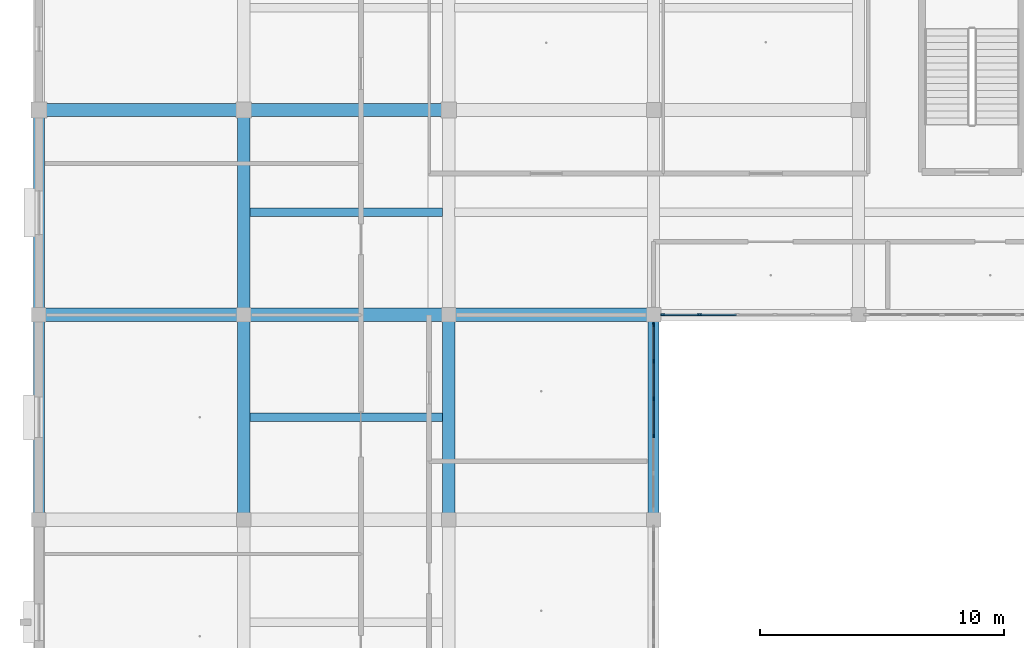
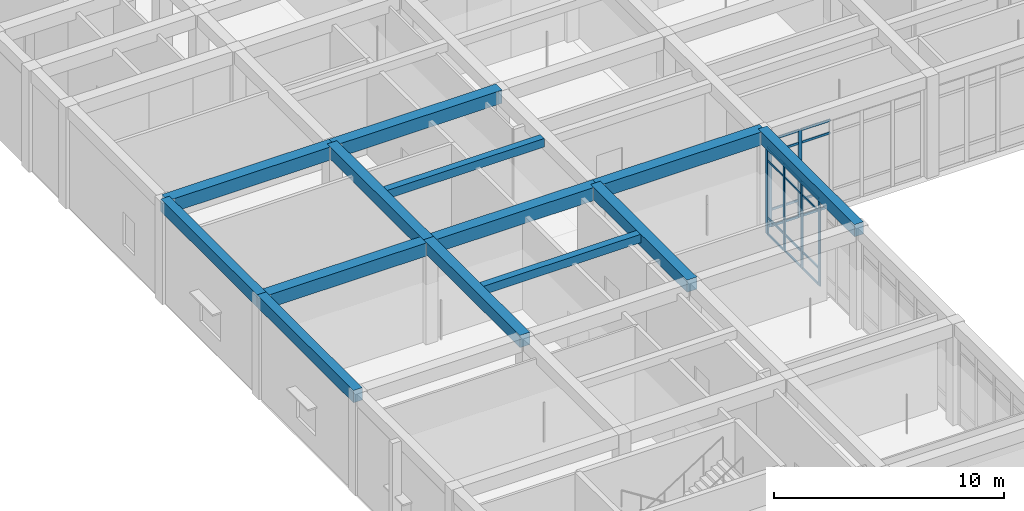
# One storey, part 31 of 157: 26 members, 13 beams, 2 elements without a shape of their own.
"""IFC4 building model written with IfcOpenShell, lengths in metres."""

from ifc_helpers import new_model, si_unit, direction, frame, origin, origin_2d, place, context, subcontext, project, spatial, rectangle, extrude, material, material_profile, profile_set, type_object, element, aggregate, save


model = new_model("IFC4")

# Units and contexts
model_context = context("Model", 3, precision=1e-05, world=origin(), true_north=direction((0.0, 1.0)))
body_context = subcontext(model_context, "Body", "Model", "MODEL_VIEW")
ifc_project = project(units=[si_unit("LENGTHUNIT", "METRE"), si_unit("AREAUNIT", "SQUARE_METRE"), si_unit("VOLUMEUNIT", "CUBIC_METRE"), si_unit("PLANEANGLEUNIT", "RADIAN"), si_unit("MASSUNIT", "GRAM", prefix="KILO")], contexts=[model_context])

# Site, building, storey
site_placement = place(None, origin())
site = spatial("IfcSite", under=ifc_project, at=site_placement, CompositionType="ELEMENT")
building_placement = place(site_placement, origin())
building = spatial("IfcBuilding", under=site, at=building_placement, Name="Varncliffe General Hospital", CompositionType="ELEMENT")
storey_placement = place(building_placement, frame((0.0, 0.0, 5.39990234375)))
storey = spatial("IfcBuildingStorey", under=building, at=storey_placement, Name="L01", CompositionType="ELEMENT", Elevation=5.39990234375)

# Beams
ifc_material_1 = material(Name="Concrete C35/45 (CSA A23.1 35 MPa)", Category="concrete")
ifc_material_profile_1 = material_profile(ifc_material_1, rectangle(XDim=0.5, YDim=0.64990234375, at=origin_2d()), Name="RC 500x650")
ifc_profile_set_1 = profile_set([ifc_material_profile_1], Name="Concrete C35/45 (CSA A23.1 35 MPa)")
beam_type_1 = type_object("IfcBeamType", Name="Beam B29 (Int RC 500x650)", PredefinedType="BEAM", material=ifc_profile_set_1)
beam_1_placement = place(storey_placement, frame((8.39990234375, 74.39990234375, 5.0751953125), z_axis=(0.0, 1.0, 0.0), x_axis=(-1.0, 0.0, 0.0)))
element("IfcBeam", 1, at=beam_1_placement, inside=storey, type_object=beam_type_1, Name="L01 Primary Beam B29-284", PredefinedType="BEAM", context=body_context, shape_type="SweptSolid", body=[
    extrude(rectangle(XDim=0.5, YDim=0.64990234375, at=origin_2d()), origin(), (0.0, 0.0, 1.0), 8.400146484375),
])
beam_2_placement = place(storey_placement, frame((8.39990234375, 82.800048828125, 5.0751953125), z_axis=(0.0, 1.0, 0.0), x_axis=(-1.0, 0.0, 0.0)))
element("IfcBeam", 2, at=beam_2_placement, inside=storey, type_object=beam_type_1, Name="L01 Primary Beam B29-285", PredefinedType="BEAM", context=body_context, shape_type="SweptSolid", body=[
    extrude(rectangle(XDim=0.5, YDim=0.64990234375, at=origin_2d()), origin(), (0.0, 0.0, 1.0), 8.39990234375),
])
beam_3_placement = place(storey_placement, frame((16.800048828125, 74.39990234375, 5.0751953125), z_axis=(0.0, 1.0, 0.0), x_axis=(-1.0, 0.0, 0.0)))
element("IfcBeam", 3, at=beam_3_placement, inside=storey, type_object=beam_type_1, Name="L01 Primary Beam B29-301", PredefinedType="BEAM", context=body_context, shape_type="SweptSolid", body=[
    extrude(rectangle(XDim=0.5, YDim=0.64990234375, at=origin_2d()), origin(), (0.0, 0.0, 1.0), 8.400146484375),
])
ifc_material_profile_2 = material_profile(ifc_material_1, rectangle(XDim=0.550048828125, YDim=0.699951171875, at=origin_2d()), Name="RC 550x700")
ifc_profile_set_2 = profile_set([ifc_material_profile_2], Name="Concrete C35/45 (CSA A23.1 35 MPa)")
beam_type_2 = type_object("IfcBeamType", Name="Beam B35 (Int RC 550x700)", PredefinedType="BEAM", material=ifc_profile_set_2)
beam_4_placement = place(storey_placement, frame((0.0, 82.800048828125, 5.050048828125), z_axis=(1.0, 0.0, 0.0), x_axis=(0.0, 1.0, 0.0)))
element("IfcBeam", 4, at=beam_4_placement, inside=storey, type_object=beam_type_2, Name="L01 Primary Beam B35-112", PredefinedType="BEAM", context=body_context, shape_type="SweptSolid", body=[
    extrude(rectangle(XDim=0.550048828125, YDim=0.699951171875, at=origin_2d()), origin(), (0.0, 0.0, 1.0), 8.39990234375),
])
beam_5_placement = place(storey_placement, frame((8.39990234375, 82.800048828125, 5.050048828125), z_axis=(1.0, 0.0, 0.0), x_axis=(0.0, 1.0, 0.0)))
element("IfcBeam", 5, at=beam_5_placement, inside=storey, type_object=beam_type_2, Name="L01 Primary Beam B35-113", PredefinedType="BEAM", context=body_context, shape_type="SweptSolid", body=[
    extrude(rectangle(XDim=0.550048828125, YDim=0.699951171875, at=origin_2d()), origin(), (0.0, 0.0, 1.0), 8.400146484375),
])
for number, where, z_axis, x_axis, name in (
    (6, (16.800048828125, 82.800048828125, 5.050048828125), (1.0, 0.0, 0.0), (0.0, 1.0, 0.0), "L01 Primary Beam B35-114"),
    (7, (0.0, 91.199951171875, 5.050048828125), (1.0, 0.0, 0.0), (0.0, 1.0, 0.0), "L01 Primary Beam B35-133"),
):
    element("IfcBeam", number, at=place(storey_placement, frame(where, z_axis=z_axis, x_axis=x_axis)), inside=storey, type_object=beam_type_2, Name=name, PredefinedType="BEAM", context=body_context, shape_type="SweptSolid", body=[
        extrude(rectangle(XDim=0.550048828125, YDim=0.699951171875, at=origin_2d()), origin(), (0.0, 0.0, 1.0), 8.39990234375),
    ])
beam_6_placement = place(storey_placement, frame((8.39990234375, 91.199951171875, 5.050048828125), z_axis=(1.0, 0.0, 0.0), x_axis=(0.0, 1.0, 0.0)))
element("IfcBeam", 8, at=beam_6_placement, inside=storey, type_object=beam_type_2, Name="L01 Primary Beam B35-134", PredefinedType="BEAM", context=body_context, shape_type="SweptSolid", body=[
    extrude(rectangle(XDim=0.550048828125, YDim=0.699951171875, at=origin_2d()), origin(), (0.0, 0.0, 1.0), 8.400146484375),
])

# Curtain wall, members
ifc_material_2 = material(Name="Triple low-E argon insulated vision glazing", Category="glass")
curtain_wall_type_1 = type_object("IfcCurtainWallType", Name="Unitised Glazed Curtain Wall CW70 (7724x4640)", PredefinedType="USERDEFINED", material=ifc_material_2)
curtain_wall_1_placement = place(storey_placement, origin())
curtain_wall_1 = element("IfcCurtainWall", 9, at=curtain_wall_1_placement, inside=storey, type_object=curtain_wall_type_1, Name="L01 Glazed Curtain Wall CW70-76", ObjectType="GLAZED CURTAIN WALL", PredefinedType="USERDEFINED")
ifc_material_3 = material(Name="Dark bronze thermally broken aluminium framing", Category="aluminium")
ifc_material_profile_3 = material_profile(ifc_material_3, rectangle(XDim=0.074951171875, YDim=0.179931640625, at=origin_2d()), Name="ALU 75x180")
ifc_profile_set_3 = profile_set([ifc_material_profile_3], Name="Dark bronze thermally broken aluminium framing")
member_type_1 = type_object("IfcMemberType", Name="Curtain Wall Mullion CM44 (ALU 75x180)", PredefinedType="MULLION", material=ifc_profile_set_3)
member_1_placement = place(storey_placement, frame((27.082763671875, 82.800048828125, 0.0), z_axis=(0.0, 0.0, 1.0), x_axis=(0.0, -1.0, 0.0)))
member_1 = element("IfcMember", 10, at=member_1_placement, type_object=member_type_1, Name="CW70 mullion 5", PredefinedType="MULLION", context=body_context, shape_type="SweptSolid", body=[
    extrude(rectangle(XDim=0.074951171875, YDim=0.179931640625, at=origin_2d()), origin(), (0.0, 0.0, 1.0), 4.64013671875),
])
member_2_placement = place(storey_placement, frame((25.575439453125, 82.800048828125, 0.0), z_axis=(0.0, 0.0, 1.0), x_axis=(0.0, -1.0, 0.0)))
member_2 = element("IfcMember", 11, at=member_2_placement, type_object=member_type_1, Name="CW70 mullion 6", PredefinedType="MULLION", context=body_context, shape_type="SweptSolid", body=[
    extrude(rectangle(XDim=0.074951171875, YDim=0.179931640625, at=origin_2d()), origin(), (0.0, 0.0, 1.0), 4.64013671875),
])

curtain_wall_type_2 = type_object("IfcCurtainWallType", Name="Unitised Glazed Curtain Wall CW27 (7644x4640)", PredefinedType="USERDEFINED", material=ifc_material_2)
curtain_wall_2_placement = place(storey_placement, origin())
curtain_wall_2 = element("IfcCurtainWall", 12, at=curtain_wall_2_placement, inside=storey, type_object=curtain_wall_type_2, Name="L01 Glazed Curtain Wall CW27-77", ObjectType="GLAZED CURTAIN WALL", PredefinedType="USERDEFINED")
ifc_material_profile_4 = material_profile(ifc_material_3, rectangle(XDim=0.06494140625, YDim=0.159912109375, at=origin_2d()), Name="ALU 65x160")
ifc_profile_set_4 = profile_set([ifc_material_profile_4], Name="Dark bronze thermally broken aluminium framing")
member_type_2 = type_object("IfcMemberType", Name="Curtain Wall Mullion CM65 (ALU 65x160)", PredefinedType="MULLION", material=ifc_profile_set_4)
member_3_placement = place(storey_placement, frame((25.199951171875, 82.389404296875, 0.0), z_axis=(0.0, 0.0, 1.0), x_axis=(1.0, 0.0, 0.0)))
member_3 = element("IfcMember", 13, at=member_3_placement, type_object=member_type_2, Name="CW27 mullion 1", PredefinedType="MULLION", context=body_context, shape_type="SweptSolid", body=[
    extrude(rectangle(XDim=0.06494140625, YDim=0.159912109375, at=origin_2d()), origin(), (0.0, 0.0, 1.0), 4.64013671875),
])
member_4_placement = place(storey_placement, frame((25.199951171875, 80.893310546875, 0.0), z_axis=(0.0, 0.0, 1.0), x_axis=(1.0, 0.0, 0.0)))
member_4 = element("IfcMember", 14, at=member_4_placement, type_object=member_type_2, Name="CW27 mullion 2", PredefinedType="MULLION", context=body_context, shape_type="SweptSolid", body=[
    extrude(rectangle(XDim=0.06494140625, YDim=0.159912109375, at=origin_2d()), origin(), (0.0, 0.0, 1.0), 4.64013671875),
])
member_5_placement = place(storey_placement, frame((25.199951171875, 79.364501953125, 0.0), z_axis=(0.0, 0.0, 1.0), x_axis=(1.0, 0.0, 0.0)))
member_5 = element("IfcMember", 15, at=member_5_placement, type_object=member_type_2, Name="CW27 mullion 3", PredefinedType="MULLION", context=body_context, shape_type="SweptSolid", body=[
    extrude(rectangle(XDim=0.06494140625, YDim=0.159912109375, at=origin_2d()), origin(), (0.0, 0.0, 1.0), 4.64013671875),
])
member_6_placement = place(storey_placement, frame((25.199951171875, 77.835693359375, 0.0), z_axis=(0.0, 0.0, 1.0), x_axis=(1.0, 0.0, 0.0)))
member_6 = element("IfcMember", 16, at=member_6_placement, type_object=member_type_2, Name="CW27 mullion 4", PredefinedType="MULLION", context=body_context, shape_type="SweptSolid", body=[
    extrude(rectangle(XDim=0.06494140625, YDim=0.159912109375, at=origin_2d()), origin(), (0.0, 0.0, 1.0), 4.64013671875),
])

# Member
ifc_material_profile_5 = material_profile(ifc_material_3, rectangle(XDim=0.06005859375, YDim=0.1201171875, at=origin_2d()), Name="ALU 60x120")
ifc_profile_set_5 = profile_set([ifc_material_profile_5], Name="Dark bronze thermally broken aluminium framing")
member_type_3 = type_object("IfcMemberType", Name="Curtain Wall Transom CT14 (ALU 60x120)", PredefinedType="USERDEFINED", material=ifc_profile_set_5)
member_7_placement = place(storey_placement, frame((28.590087890625, 82.800048828125, 0.030029296875), z_axis=(-1.0, 0.0, 0.0), x_axis=(0.0, -1.0, 0.0)))
member_7 = element("IfcMember", 17, at=member_7_placement, type_object=member_type_3, Name="CW70 transom 4.1", ObjectType="TRANSOM", PredefinedType="USERDEFINED", context=body_context, shape_type="SweptSolid", body=[
    extrude(rectangle(XDim=0.06005859375, YDim=0.1201171875, at=origin_2d()), origin(), (0.0, 0.0, 1.0), 1.4697265625),
])

member_8_placement = place(storey_placement, frame((28.590087890625, 82.800048828125, 0.900146484375), z_axis=(-1.0, 0.0, 0.0), x_axis=(0.0, -1.0, 0.0)))
member_8 = element("IfcMember", 18, at=member_8_placement, type_object=member_type_3, Name="CW70 transom 4.2", ObjectType="TRANSOM", PredefinedType="USERDEFINED", context=body_context, shape_type="SweptSolid", body=[
    extrude(rectangle(XDim=0.06005859375, YDim=0.1201171875, at=origin_2d()), origin(), (0.0, 0.0, 1.0), 1.4697265625),
])

member_9_placement = place(storey_placement, frame((28.590087890625, 82.800048828125, 3.940185546875), z_axis=(-1.0, 0.0, 0.0), x_axis=(0.0, -1.0, 0.0)))
member_9 = element("IfcMember", 19, at=member_9_placement, type_object=member_type_3, Name="CW70 transom 4.3", ObjectType="TRANSOM", PredefinedType="USERDEFINED", context=body_context, shape_type="SweptSolid", body=[
    extrude(rectangle(XDim=0.06005859375, YDim=0.1201171875, at=origin_2d()), origin(), (0.0, 0.0, 1.0), 1.4697265625),
])

member_10_placement = place(storey_placement, frame((28.590087890625, 82.800048828125, 4.610107421875), z_axis=(-1.0, 0.0, 0.0), x_axis=(0.0, -1.0, 0.0)))
member_10 = element("IfcMember", 20, at=member_10_placement, type_object=member_type_3, Name="CW70 transom 4.4", ObjectType="TRANSOM", PredefinedType="USERDEFINED", context=body_context, shape_type="SweptSolid", body=[
    extrude(rectangle(XDim=0.06005859375, YDim=0.1201171875, at=origin_2d()), origin(), (0.0, 0.0, 1.0), 1.4697265625),
])

member_11_placement = place(storey_placement, frame((27.04541015625, 82.800048828125, 0.030029296875), z_axis=(-1.0, 0.0, 0.0), x_axis=(0.0, -1.0, 0.0)))
member_11 = element("IfcMember", 21, at=member_11_placement, type_object=member_type_3, Name="CW70 transom 5.1", ObjectType="TRANSOM", PredefinedType="USERDEFINED", context=body_context, shape_type="SweptSolid", body=[
    extrude(rectangle(XDim=0.06005859375, YDim=0.1201171875, at=origin_2d()), origin(), (0.0, 0.0, 1.0), 1.432373046875),
])

member_12_placement = place(storey_placement, frame((27.04541015625, 82.800048828125, 0.900146484375), z_axis=(-1.0, 0.0, 0.0), x_axis=(0.0, -1.0, 0.0)))
member_12 = element("IfcMember", 22, at=member_12_placement, type_object=member_type_3, Name="CW70 transom 5.2", ObjectType="TRANSOM", PredefinedType="USERDEFINED", context=body_context, shape_type="SweptSolid", body=[
    extrude(rectangle(XDim=0.06005859375, YDim=0.1201171875, at=origin_2d()), origin(), (0.0, 0.0, 1.0), 1.432373046875),
])

member_13_placement = place(storey_placement, frame((27.04541015625, 82.800048828125, 3.940185546875), z_axis=(-1.0, 0.0, 0.0), x_axis=(0.0, -1.0, 0.0)))
member_13 = element("IfcMember", 23, at=member_13_placement, type_object=member_type_3, Name="CW70 transom 5.3", ObjectType="TRANSOM", PredefinedType="USERDEFINED", context=body_context, shape_type="SweptSolid", body=[
    extrude(rectangle(XDim=0.06005859375, YDim=0.1201171875, at=origin_2d()), origin(), (0.0, 0.0, 1.0), 1.432373046875),
])

member_14_placement = place(storey_placement, frame((27.04541015625, 82.800048828125, 4.610107421875), z_axis=(-1.0, 0.0, 0.0), x_axis=(0.0, -1.0, 0.0)))
member_14 = element("IfcMember", 24, at=member_14_placement, type_object=member_type_3, Name="CW70 transom 5.4", ObjectType="TRANSOM", PredefinedType="USERDEFINED", context=body_context, shape_type="SweptSolid", body=[
    extrude(rectangle(XDim=0.06005859375, YDim=0.1201171875, at=origin_2d()), origin(), (0.0, 0.0, 1.0), 1.432373046875),
])

aggregate(curtain_wall_1, [member_1, member_2, member_7, member_8, member_9, member_10, member_11, member_12, member_13, member_14])

ifc_material_profile_6 = material_profile(ifc_material_3, rectangle(XDim=0.06005859375, YDim=0.10009765625, at=origin_2d()), Name="ALU 60x100")
ifc_profile_set_6 = profile_set([ifc_material_profile_6], Name="Dark bronze thermally broken aluminium framing")
member_type_4 = type_object("IfcMemberType", Name="Curtain Wall Transom CT18 (ALU 60x100)", PredefinedType="USERDEFINED", material=ifc_profile_set_6)
member_15_placement = place(storey_placement, frame((25.199951171875, 82.35693359375, 0.030029296875), z_axis=(0.0, -1.0, 0.0), x_axis=(1.0, 0.0, 0.0)))
member_15 = element("IfcMember", 25, at=member_15_placement, type_object=member_type_4, Name="CW27 transom 1.1", ObjectType="TRANSOM", PredefinedType="USERDEFINED", context=body_context, shape_type="SweptSolid", body=[
    extrude(rectangle(XDim=0.06005859375, YDim=0.10009765625, at=origin_2d()), origin(), (0.0, 0.0, 1.0), 1.43115234375),
])

member_16_placement = place(storey_placement, frame((25.199951171875, 82.35693359375, 0.900146484375), z_axis=(0.0, -1.0, 0.0), x_axis=(1.0, 0.0, 0.0)))
member_16 = element("IfcMember", 26, at=member_16_placement, type_object=member_type_4, Name="CW27 transom 1.2", ObjectType="TRANSOM", PredefinedType="USERDEFINED", context=body_context, shape_type="SweptSolid", body=[
    extrude(rectangle(XDim=0.06005859375, YDim=0.10009765625, at=origin_2d()), origin(), (0.0, 0.0, 1.0), 1.43115234375),
])

member_17_placement = place(storey_placement, frame((25.199951171875, 82.35693359375, 3.940185546875), z_axis=(0.0, -1.0, 0.0), x_axis=(1.0, 0.0, 0.0)))
member_17 = element("IfcMember", 27, at=member_17_placement, type_object=member_type_4, Name="CW27 transom 1.3", ObjectType="TRANSOM", PredefinedType="USERDEFINED", context=body_context, shape_type="SweptSolid", body=[
    extrude(rectangle(XDim=0.06005859375, YDim=0.10009765625, at=origin_2d()), origin(), (0.0, 0.0, 1.0), 1.43115234375),
])

member_18_placement = place(storey_placement, frame((25.199951171875, 82.35693359375, 4.610107421875), z_axis=(0.0, -1.0, 0.0), x_axis=(1.0, 0.0, 0.0)))
member_18 = element("IfcMember", 28, at=member_18_placement, type_object=member_type_4, Name="CW27 transom 1.4", ObjectType="TRANSOM", PredefinedType="USERDEFINED", context=body_context, shape_type="SweptSolid", body=[
    extrude(rectangle(XDim=0.06005859375, YDim=0.10009765625, at=origin_2d()), origin(), (0.0, 0.0, 1.0), 1.43115234375),
])

member_19_placement = place(storey_placement, frame((25.199951171875, 80.860595703125, 0.030029296875), z_axis=(0.0, -1.0, 0.0), x_axis=(1.0, 0.0, 0.0)))
member_19 = element("IfcMember", 29, at=member_19_placement, type_object=member_type_4, Name="CW27 transom 2.1", ObjectType="TRANSOM", PredefinedType="USERDEFINED", context=body_context, shape_type="SweptSolid", body=[
    extrude(rectangle(XDim=0.06005859375, YDim=0.10009765625, at=origin_2d()), origin(), (0.0, 0.0, 1.0), 1.463623046875),
])

member_20_placement = place(storey_placement, frame((25.199951171875, 80.860595703125, 0.900146484375), z_axis=(0.0, -1.0, 0.0), x_axis=(1.0, 0.0, 0.0)))
member_20 = element("IfcMember", 30, at=member_20_placement, type_object=member_type_4, Name="CW27 transom 2.2", ObjectType="TRANSOM", PredefinedType="USERDEFINED", context=body_context, shape_type="SweptSolid", body=[
    extrude(rectangle(XDim=0.06005859375, YDim=0.10009765625, at=origin_2d()), origin(), (0.0, 0.0, 1.0), 1.463623046875),
])

member_21_placement = place(storey_placement, frame((25.199951171875, 80.860595703125, 3.940185546875), z_axis=(0.0, -1.0, 0.0), x_axis=(1.0, 0.0, 0.0)))
member_21 = element("IfcMember", 31, at=member_21_placement, type_object=member_type_4, Name="CW27 transom 2.3", ObjectType="TRANSOM", PredefinedType="USERDEFINED", context=body_context, shape_type="SweptSolid", body=[
    extrude(rectangle(XDim=0.06005859375, YDim=0.10009765625, at=origin_2d()), origin(), (0.0, 0.0, 1.0), 1.463623046875),
])

member_22_placement = place(storey_placement, frame((25.199951171875, 80.860595703125, 4.610107421875), z_axis=(0.0, -1.0, 0.0), x_axis=(1.0, 0.0, 0.0)))
member_22 = element("IfcMember", 32, at=member_22_placement, type_object=member_type_4, Name="CW27 transom 2.4", ObjectType="TRANSOM", PredefinedType="USERDEFINED", context=body_context, shape_type="SweptSolid", body=[
    extrude(rectangle(XDim=0.06005859375, YDim=0.10009765625, at=origin_2d()), origin(), (0.0, 0.0, 1.0), 1.463623046875),
])

member_23_placement = place(storey_placement, frame((25.199951171875, 79.331787109375, 0.030029296875), z_axis=(0.0, -1.0, 0.0), x_axis=(1.0, 0.0, 0.0)))
member_23 = element("IfcMember", 33, at=member_23_placement, type_object=member_type_4, Name="CW27 transom 3.1", ObjectType="TRANSOM", PredefinedType="USERDEFINED", context=body_context, shape_type="SweptSolid", body=[
    extrude(rectangle(XDim=0.06005859375, YDim=0.10009765625, at=origin_2d()), origin(), (0.0, 0.0, 1.0), 1.463623046875),
])

member_24_placement = place(storey_placement, frame((25.199951171875, 79.331787109375, 0.900146484375), z_axis=(0.0, -1.0, 0.0), x_axis=(1.0, 0.0, 0.0)))
member_24 = element("IfcMember", 34, at=member_24_placement, type_object=member_type_4, Name="CW27 transom 3.2", ObjectType="TRANSOM", PredefinedType="USERDEFINED", context=body_context, shape_type="SweptSolid", body=[
    extrude(rectangle(XDim=0.06005859375, YDim=0.10009765625, at=origin_2d()), origin(), (0.0, 0.0, 1.0), 1.463623046875),
])

member_25_placement = place(storey_placement, frame((25.199951171875, 79.331787109375, 3.940185546875), z_axis=(0.0, -1.0, 0.0), x_axis=(1.0, 0.0, 0.0)))
member_25 = element("IfcMember", 35, at=member_25_placement, type_object=member_type_4, Name="CW27 transom 3.3", ObjectType="TRANSOM", PredefinedType="USERDEFINED", context=body_context, shape_type="SweptSolid", body=[
    extrude(rectangle(XDim=0.06005859375, YDim=0.10009765625, at=origin_2d()), origin(), (0.0, 0.0, 1.0), 1.463623046875),
])

member_26_placement = place(storey_placement, frame((25.199951171875, 79.331787109375, 4.610107421875), z_axis=(0.0, -1.0, 0.0), x_axis=(1.0, 0.0, 0.0)))
member_26 = element("IfcMember", 36, at=member_26_placement, type_object=member_type_4, Name="CW27 transom 3.4", ObjectType="TRANSOM", PredefinedType="USERDEFINED", context=body_context, shape_type="SweptSolid", body=[
    extrude(rectangle(XDim=0.06005859375, YDim=0.10009765625, at=origin_2d()), origin(), (0.0, 0.0, 1.0), 1.463623046875),
])

aggregate(curtain_wall_2, [member_3, member_4, member_5, member_6, member_15, member_16, member_17, member_18, member_19, member_20, member_21, member_22, member_23, member_24, member_25, member_26])

# Beams
ifc_material_profile_7 = material_profile(ifc_material_1, rectangle(XDim=0.35009765625, YDim=0.449951171875, at=origin_2d()), Name="RC 350x450")
ifc_profile_set_7 = profile_set([ifc_material_profile_7], Name="Concrete C35/45 (CSA A23.1 35 MPa)")
beam_type_3 = type_object("IfcBeamType", Name="Joist J55 (Int RC 350x450)", PredefinedType="JOIST", material=ifc_profile_set_7)
for number, where, z_axis, x_axis, name in (
    (37, (8.64794921875, 78.60009765625, 5.175048828125), (1.0, 0.0, 0.0), (0.0, 1.0, 0.0), "L01 Secondary Floor Rib J55-8"),
    (38, (8.64794921875, 87.0, 5.175048828125), (1.0, 0.0, 0.0), (0.0, 1.0, 0.0), "L01 Secondary Floor Rib J55-9"),
):
    element("IfcBeam", number, at=place(storey_placement, frame(where, z_axis=z_axis, x_axis=x_axis)), inside=storey, type_object=beam_type_3, Name=name, PredefinedType="JOIST", context=body_context, shape_type="SweptSolid", body=[
        extrude(rectangle(XDim=0.35009765625, YDim=0.449951171875, at=origin_2d()), origin(), (0.0, 0.0, 1.0), 7.904052734375),
    ])
ifc_material_profile_8 = material_profile(ifc_material_1, rectangle(XDim=0.449951171875, YDim=0.64990234375, at=origin_2d()), Name="RC 450x650")
ifc_profile_set_8 = profile_set([ifc_material_profile_8], Name="Concrete C35/45 (CSA A23.1 35 MPa)")
beam_type_4 = type_object("IfcBeamType", Name="Spandrel SP38 (Ext RC 450x650B)", PredefinedType="SPANDREL", material=ifc_profile_set_8)
beam_7_placement = place(storey_placement, frame((0.0, 74.39990234375, 5.0751953125), z_axis=(0.0, 1.0, 0.0), x_axis=(-1.0, 0.0, 0.0)))
element("IfcBeam", 39, at=beam_7_placement, inside=storey, type_object=beam_type_4, Name="L01 Spandrel Beam SP38-268", PredefinedType="SPANDREL", context=body_context, shape_type="SweptSolid", body=[
    extrude(rectangle(XDim=0.449951171875, YDim=0.64990234375, at=origin_2d()), origin(), (0.0, 0.0, 1.0), 8.400146484375),
])
beam_8_placement = place(storey_placement, frame((0.0, 82.800048828125, 5.0751953125), z_axis=(0.0, 1.0, 0.0), x_axis=(-1.0, 0.0, 0.0)))
element("IfcBeam", 40, at=beam_8_placement, inside=storey, type_object=beam_type_4, Name="L01 Spandrel Beam SP38-269", PredefinedType="SPANDREL", context=body_context, shape_type="SweptSolid", body=[
    extrude(rectangle(XDim=0.449951171875, YDim=0.64990234375, at=origin_2d()), origin(), (0.0, 0.0, 1.0), 8.39990234375),
])
beam_9_placement = place(storey_placement, frame((25.199951171875, 74.39990234375, 5.0751953125), z_axis=(0.0, 1.0, 0.0), x_axis=(-1.0, 0.0, 0.0)))
element("IfcBeam", 41, at=beam_9_placement, inside=storey, type_object=beam_type_4, Name="L01 Spandrel Beam SP38-318", PredefinedType="SPANDREL", context=body_context, shape_type="SweptSolid", body=[
    extrude(rectangle(XDim=0.449951171875, YDim=0.64990234375, at=origin_2d()), origin(), (0.0, 0.0, 1.0), 8.400146484375),
])

save(model, "model.ifc")
